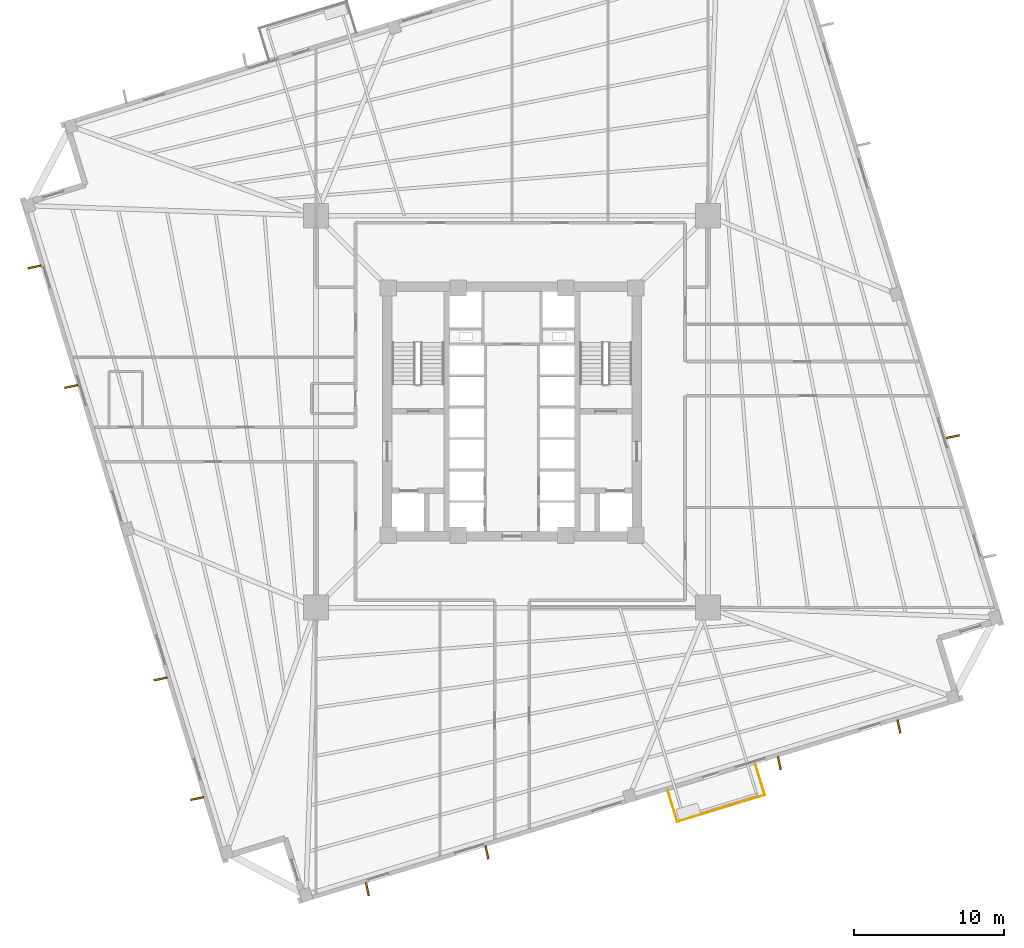
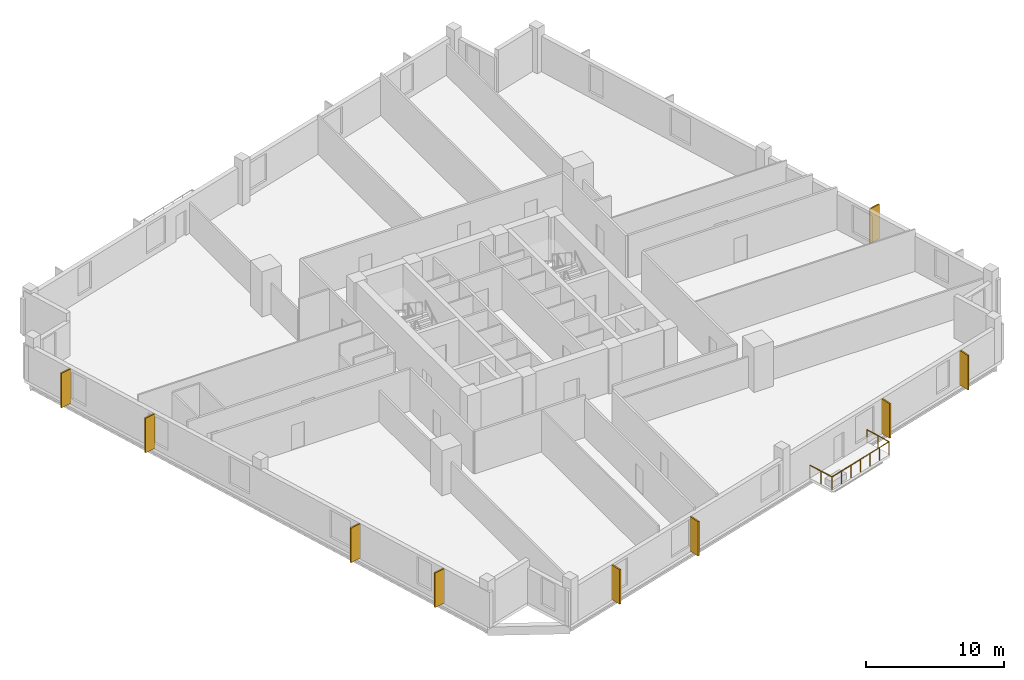
# One storey, part 6 of 8: 9 coverings, 3 railings.
"""IFC4 building model written with IfcOpenShell, lengths in metres."""

from ifc_helpers import new_model, si_unit, direction, frame, origin, origin_2d, place, context, subcontext, project, spatial, rectangle, circle, extrude, source, transform, mapped, material, layer, layer_set, type_object, element, save


model = new_model("IFC4")

# Units and contexts
model_context = context("Model", 3, precision=1e-05, world=origin(), true_north=direction((0.0, 1.0)))
body_context = subcontext(model_context, "Body", "Model", "MODEL_VIEW")
ifc_project = project(units=[si_unit("LENGTHUNIT", "METRE"), si_unit("AREAUNIT", "SQUARE_METRE"), si_unit("VOLUMEUNIT", "CUBIC_METRE"), si_unit("PLANEANGLEUNIT", "RADIAN"), si_unit("MASSUNIT", "GRAM", prefix="KILO"), si_unit("THERMODYNAMICTEMPERATUREUNIT", "KELVIN")], contexts=[model_context])

# Site, building, storey
site_placement = place(None, origin())
site = spatial("IfcSite", under=ifc_project, at=site_placement, CompositionType="ELEMENT")
building_placement = place(site_placement, origin())
building = spatial("IfcBuilding", under=site, at=building_placement, Name="Kosmvard Interchange Tower", CompositionType="ELEMENT")
storey_placement = place(building_placement, frame((0.0, 0.0, 123.199951171875)))
storey = spatial("IfcBuildingStorey", under=building, at=storey_placement, Name="L29", CompositionType="ELEMENT", Elevation=123.199951171875)

# Coverings
ifc_material_1 = material(Name="Architectural anodised aluminium", Category="aluminium")
ifc_layer = layer(ifc_material_1, 0.1201171875, Name="Architectural anodised aluminium")
ifc_layer_set = layer_set([ifc_layer], Name="Architectural anodised aluminium")
covering_type = type_object("IfcCoveringType", Name="Rotating Vertical Sun-Breaker Fin 900x120 Aluminium", PredefinedType="CLADDING", material=ifc_layer_set)
shared_shape_1 = source(origin(), body_context, "Body", "SweptSolid", [
    extrude(rectangle(XDim=0.89990234375, YDim=0.1201171875, at=origin_2d()), origin(), (0.0, 0.0, 1.0), 3.06005859375),
])
for number, where, z_axis, x_axis, name in (
    (1, (-9.6572265625, -31.865966796875, 0.0400390625), (0.0, 0.0, 1.0), (0.204837728554, -0.978795946539, 0.0), "L29 Rotating Vertical Sun-Breaker Fin 01"),
    (2, (-1.673583984375, -29.425048828125, 0.0400390625), (0.0, 0.0, 1.0), (0.204837728554, -0.978795946539, 0.0), "L29 Rotating Vertical Sun-Breaker Fin 02"),
    (3, (17.841796875, -23.45849609375, 0.0400390625), (0.0, 0.0, 1.0), (0.204837728554, -0.978795946539, 0.0), "L29 Rotating Vertical Sun-Breaker Fin 03"),
    (4, (25.825439453125, -21.017822265625, 0.0400390625), (0.0, 0.0, 1.0), (0.204837728554, -0.978795946539, 0.0), "L29 Rotating Vertical Sun-Breaker Fin 04"),
    (5, (29.425048828125, -1.673583984375, 0.0400390625), (0.0, 0.0, 1.0), (0.978795946539, 0.204837728554, 0.0), "L29 Rotating Vertical Sun-Breaker Fin 06"),
    (6, (-31.865966796875, 9.6572265625, 0.0400390625), (0.0, 0.0, 1.0), (-0.978795946539, -0.204837728554, 0.0), "L29 Rotating Vertical Sun-Breaker Fin 13"),
    (7, (-29.425048828125, 1.673583984375, 0.0400390625), (0.0, 0.0, 1.0), (-0.978795946539, -0.204837728554, 0.0), "L29 Rotating Vertical Sun-Breaker Fin 14"),
    (8, (-23.45849609375, -17.841796875, 0.0400390625), (0.0, 0.0, 1.0), (-0.978795946539, -0.204837728554, 0.0), "L29 Rotating Vertical Sun-Breaker Fin 15"),
    (9, (-21.017822265625, -25.825439453125, 0.0400390625), (0.0, 0.0, 1.0), (-0.978795946539, -0.204837728554, 0.0), "L29 Rotating Vertical Sun-Breaker Fin 16"),
):
    element("IfcCovering", number, at=place(storey_placement, frame(where, z_axis=z_axis, x_axis=x_axis)), inside=storey, type_object=covering_type, Name=name, PredefinedType="CLADDING", context=body_context, shape_type="MappedRepresentation", body=[
        mapped(shared_shape_1, transform((0.0, 0.0, 0.0), scale=1.0)),
    ])

# Railings
ifc_material_2 = material(Name="Steel S355", Category="steel")
railing_type = type_object("IfcRailingType", Name="Observation & Balcony Glass-Infill Balustrade 1150", PredefinedType="BALUSTRADE", material=ifc_material_2)
shared_shape_2 = source(origin(), body_context, "Body", "SweptSolid", [
    extrude(circle(Radius=0.02392578125, at=origin_2d()), frame((0.0, 0.0, 1.1259765625), z_axis=(0.292291835236, -0.956329170869, 0.0), x_axis=(0.956329170869, 0.292291835236, 0.0)), (0.0, 0.0, 1.0), 2.2001953125),
    extrude(circle(Radius=0.02099609375, at=origin_2d()), origin(), (0.0, 0.0, 1.0), 1.101806640625),
    extrude(circle(Radius=0.02099609375, at=origin_2d()), frame((0.321533203125, -1.052001953125, 0.0)), (0.0, 0.0, 1.0), 1.101806640625),
    extrude(circle(Radius=0.02099609375, at=origin_2d()), frame((0.64306640625, -2.10400390625, 0.0)), (0.0, 0.0, 1.0), 1.101806640625),
])
railing_1_placement = place(storey_placement, frame((10.39111328125, -25.265869140625, 0.0)))
element("IfcRailing", 10, at=railing_1_placement, inside=storey, type_object=railing_type, Name="L29 Outdoor Terrace Guard BAL-L29-SW-A", PredefinedType="BALUSTRADE", context=body_context, shape_type="MappedRepresentation", body=[
    mapped(shared_shape_2, transform((0.0, 0.0, 0.0), scale=1.0)),
])
shared_shape_3 = source(origin(), body_context, "Body", "SweptSolid", [
    extrude(circle(Radius=0.02392578125, at=origin_2d()), frame((0.0, 0.0, 1.1259765625), z_axis=(0.956306198406, 0.292366986664, 0.0), x_axis=(-0.292366986664, 0.956306198406, 0.0)), (0.0, 0.0, 1.0), 6.10009765625),
    extrude(circle(Radius=0.02099609375, at=origin_2d()), origin(), (0.0, 0.0, 1.0), 1.101806640625),
    extrude(circle(Radius=0.02099609375, at=origin_2d()), frame((0.97216796875, 0.29736328125, 0.0)), (0.0, 0.0, 1.0), 1.101806640625),
    extrude(circle(Radius=0.02099609375, at=origin_2d()), frame((1.944580078125, 0.594482421875, 0.0)), (0.0, 0.0, 1.0), 1.101806640625),
    extrude(circle(Radius=0.02099609375, at=origin_2d()), frame((2.916748046875, 0.8916015625, 0.0)), (0.0, 0.0, 1.0), 1.101806640625),
    extrude(circle(Radius=0.02099609375, at=origin_2d()), frame((3.888916015625, 1.18896484375, 0.0)), (0.0, 0.0, 1.0), 1.101806640625),
    extrude(circle(Radius=0.02099609375, at=origin_2d()), frame((4.861328125, 1.486328125, 0.0)), (0.0, 0.0, 1.0), 1.101806640625),
    extrude(circle(Radius=0.02099609375, at=origin_2d()), frame((5.83349609375, 1.783447265625, 0.0)), (0.0, 0.0, 1.0), 1.101806640625),
])
railing_2_placement = place(storey_placement, frame((11.0341796875, -27.369873046875, 0.0)))
element("IfcRailing", 11, at=railing_2_placement, inside=storey, type_object=railing_type, Name="L29 Outdoor Terrace Guard BAL-L29-SW-B", PredefinedType="BALUSTRADE", context=body_context, shape_type="MappedRepresentation", body=[
    mapped(shared_shape_3, transform((0.0, 0.0, 0.0), scale=1.0)),
])
shared_shape_4 = source(origin(), body_context, "Body", "SweptSolid", [
    extrude(circle(Radius=0.02392578125, at=origin_2d()), frame((0.0, 0.0, 1.1259765625), z_axis=(-0.292291835236, 0.956329170869, 0.0), x_axis=(-0.956329170869, -0.292291835236, 0.0)), (0.0, 0.0, 1.0), 2.2001953125),
    extrude(circle(Radius=0.02099609375, at=origin_2d()), origin(), (0.0, 0.0, 1.0), 1.101806640625),
    extrude(circle(Radius=0.02099609375, at=origin_2d()), frame((-0.321533203125, 1.052001953125, 0.0)), (0.0, 0.0, 1.0), 1.101806640625),
    extrude(circle(Radius=0.02099609375, at=origin_2d()), frame((-0.64306640625, 2.10400390625, 0.0)), (0.0, 0.0, 1.0), 1.101806640625),
])
railing_3_placement = place(storey_placement, frame((16.86767578125, -25.58642578125, 0.0)))
element("IfcRailing", 12, at=railing_3_placement, inside=storey, type_object=railing_type, Name="L29 Outdoor Terrace Guard BAL-L29-SW-C", PredefinedType="BALUSTRADE", context=body_context, shape_type="MappedRepresentation", body=[
    mapped(shared_shape_4, transform((0.0, 0.0, 0.0), scale=1.0)),
])

save(model, "model.ifc")
